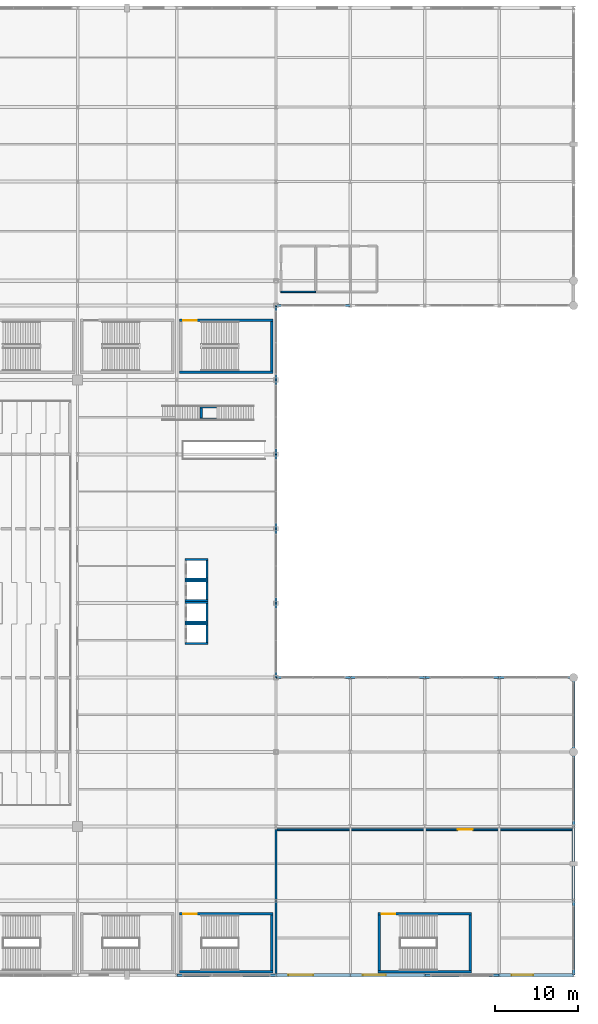
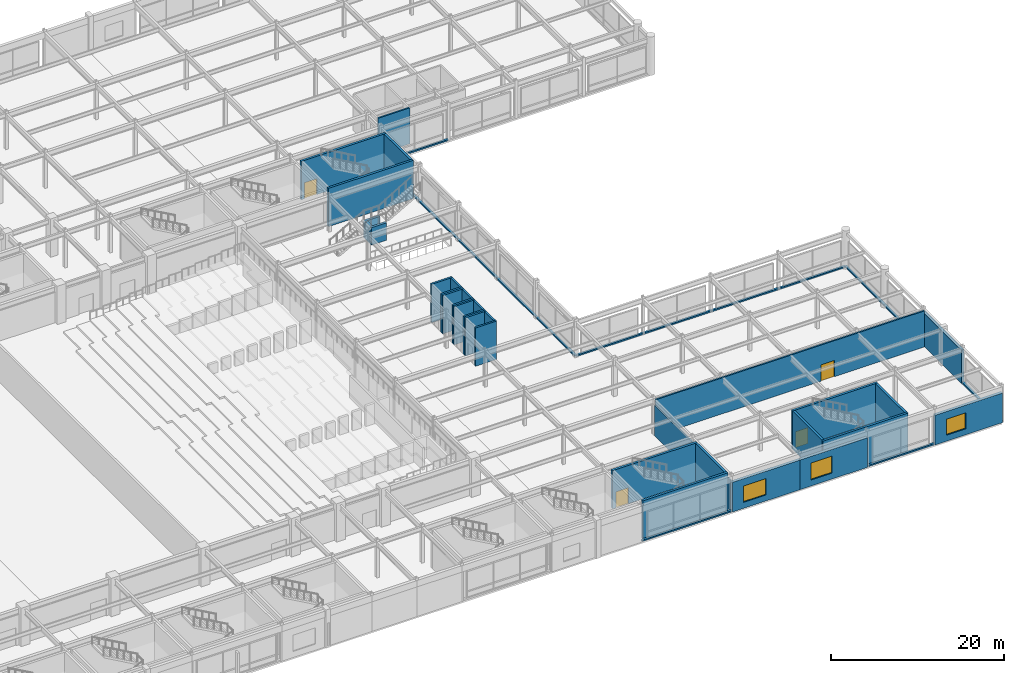
# One storey, part 87 of 100: 47 walls, 4 doors, 3 windows, 7 openings.
"""IFC4 building model written with IfcOpenShell, lengths in metres."""

from ifc_helpers import new_model, si_unit, direction, frame, frame_2d, origin, place, context, subcontext, project, spatial, rectangle, extrude, material, layer, layer_set, type_object, element, fill, save


model = new_model("IFC4")

# Units and contexts
model_context = context("Model", 3, precision=1e-05, world=origin(), true_north=direction((0.0, 1.0)))
body_context = subcontext(model_context, "Body", "Model", "MODEL_VIEW")
ifc_project = project(units=[si_unit("LENGTHUNIT", "METRE"), si_unit("AREAUNIT", "SQUARE_METRE"), si_unit("VOLUMEUNIT", "CUBIC_METRE"), si_unit("PLANEANGLEUNIT", "RADIAN"), si_unit("MASSUNIT", "GRAM", prefix="KILO")], contexts=[model_context])

# Site, building, storey
site_placement = place(None, origin())
site = spatial("IfcSite", under=ifc_project, at=site_placement, CompositionType="ELEMENT")
building_placement = place(site_placement, origin())
building = spatial("IfcBuilding", under=site, at=building_placement, Name="Kaldorvane Square Convention Centre", CompositionType="ELEMENT")
storey_placement = place(building_placement, frame((0.0, 0.0, 18.0)))
storey = spatial("IfcBuildingStorey", under=building, at=storey_placement, Name="L03", CompositionType="ELEMENT", Elevation=18.0)

# Wall
ifc_material_1 = material(Name="Fire-Rated Gypsum Board on Acoustic Steel Studs", Category="steel")
ifc_layer_1 = layer(ifc_material_1, 0.1999969482421875)
ifc_layer_set_1 = layer_set([ifc_layer_1], Name="Fire-Rated Gypsum Board on Acoustic Steel Studs")
wall_type_1 = type_object("IfcWallType", Name="WL-CORR-200", PredefinedType="PARTITIONING", material=ifc_layer_set_1)
wall_1_placement = place(storey_placement, frame((138.60000610351562, 82.64999389648438, 0.0), z_axis=(0.0, 0.0, 1.0), x_axis=(1.0, 0.0, 0.0)))
element("IfcWall", 1, at=wall_1_placement, inside=storey, type_object=wall_type_1, Name="East Concourse Men's Restroom (L03) S Wall", PredefinedType="PARTITIONING", context=body_context, shape_type="SweptSolid", body=[
    extrude(rectangle(XDim=4.1999969482421875, YDim=0.1999969482421875, at=frame_2d((2.100006103515625, 0.0))), origin(), (0.0, 0.0, 1.0), 5.0800018310546875),
])

# Wall, opening, door
wall_2_placement = place(storey_placement, frame((173.80999755859375, 17.600006103515625, 0.0), z_axis=(0.0, 0.0, 1.0), x_axis=(-1.0, 0.0, 0.0)))
wall_2 = element("IfcWall", 2, at=wall_2_placement, inside=storey, type_object=wall_type_1, Name="Speaker Green Room and Press Suite N Wall", PredefinedType="PARTITIONING", context=body_context, shape_type="SweptSolid", body=[
    extrude(rectangle(XDim=35.80999755859375, YDim=0.1999969482421875, at=frame_2d((17.904998779296875, 0.0))), origin(), (0.0, 0.0, 1.0), 5.0800018310546875),
])
opening_1_placement = place(wall_2_placement, frame((12.0, 0.0, 0.0)))
opening_1 = element("IfcOpeningElement", 3, at=opening_1_placement, cuts=wall_2, Name="Opening ID-06", PredefinedType="OPENING", context=body_context, shape_type="SweptSolid", body=[
    extrude(rectangle(XDim=1.8000030517578125, YDim=2.3000030517578125, at=frame_2d((0.899993896484375, 1.149993896484375))), frame((0.0, 0.114990234375, 0.0), z_axis=(0.0, -1.0, 0.0), x_axis=(1.0, 0.0, 0.0)), (0.0, 0.0, 1.0), 0.2299957275390625),
])
ifc_material_2 = material(Name="Architectural Solid-Core White Oak")
door_type_1 = type_object("IfcDoorType", Name="DR-MEET-1800X2300", OperationType="DOUBLE_DOOR_SINGLE_SWING", PredefinedType="DOOR", material=ifc_material_2)
door_1_placement = place(opening_1_placement, origin())
door_1 = element("IfcDoor", 4, at=door_1_placement, inside=storey, type_object=door_type_1, Name="Speaker Green Room and Press Suite Door 1", OperationType="DOUBLE_DOOR_SINGLE_SWING", OverallHeight=2.3000030517578125, OverallWidth=1.8000030517578125, PredefinedType="DOOR", context=body_context, shape_type="SweptSolid", body=[
    extrude(rectangle(XDim=1.8000030517578125, YDim=2.3000030517578125, at=frame_2d((0.899993896484375, 1.149993896484375))), frame((0.0, 0.024993896484375, 0.0), z_axis=(0.0, -1.0, 0.0), x_axis=(1.0, 0.0, 0.0)), (0.0, 0.0, 1.0), 0.0500030517578125),
])
fill(opening_1, door_1)

# Wall
wall_3_placement = place(storey_placement, frame((138.0, 17.600006103515625, 0.0), z_axis=(0.0, 0.0, 1.0), x_axis=(0.0, -1.0, 0.0)))
element("IfcWall", 5, at=wall_3_placement, inside=storey, type_object=wall_type_1, Name="Speaker Green Room and Press Suite W Wall", PredefinedType="PARTITIONING", context=body_context, shape_type="SweptSolid", body=[
    extrude(rectangle(XDim=17.410003662109375, YDim=0.1999969482421875, at=frame_2d((8.705001831054688, 0.0))), origin(), (0.0, 0.0, 1.0), 4.3130035400390625),
])

# Wall, opening, window
ifc_material_3 = material(Name="Concrete f'c = 42 MPa (Normalweight)", Category="concrete")
ifc_layer_2 = layer(ifc_material_3, 0.3800048828125)
ifc_layer_set_2 = layer_set([ifc_layer_2], Name="Concrete f'c = 42 MPa (Normalweight)")
wall_type_2 = type_object("IfcWallType", Name="WL-EXT-380", PredefinedType="STANDARD", material=ifc_layer_set_2)
wall_4_placement = place(storey_placement, frame((138.0, 0.0, 0.0), z_axis=(0.0, 0.0, 1.0), x_axis=(1.0, 0.0, 0.0)))
wall_4 = element("IfcWall", 6, at=wall_4_placement, inside=storey, type_object=wall_type_2, Name="South Square Brutalist Facade Wall (L03)", PredefinedType="STANDARD", context=body_context, shape_type="SweptSolid", body=[
    extrude(rectangle(XDim=9.0, YDim=0.3800048828125, at=frame_2d((4.5, 0.0))), origin(), (0.0, 0.0, 1.0), 4.175994873046875),
])
opening_2_placement = place(wall_4_placement, frame((1.5, 0.0, 0.850006103515625)))
opening_2 = element("IfcOpeningElement", 7, at=opening_2_placement, cuts=wall_4, Name="Opening W-16", PredefinedType="OPENING", context=body_context, shape_type="SweptSolid", body=[
    extrude(rectangle(XDim=3.0, YDim=2.3000030517578125, at=frame_2d((1.5, 1.149993896484375))), frame((0.0, 0.2050018310546875, 0.0), z_axis=(0.0, -1.0, 0.0), x_axis=(1.0, 0.0, 0.0)), (0.0, 0.0, 1.0), 0.410003662109375),
])
ifc_material_4 = material(Name="Anodized Aluminum and Low-E Insulated Glazing", Category="aluminium")
window_type_1 = type_object("IfcWindowType", Name="WN-POD-3000X2300", PartitioningType="TRIPLE_PANEL_VERTICAL", PredefinedType="WINDOW", material=ifc_material_4)
window_1_placement = place(opening_2_placement, origin())
window_1 = element("IfcWindow", 8, at=window_1_placement, inside=storey, type_object=window_type_1, Name="South Facade Window (L03)", OverallHeight=2.3000030517578125, OverallWidth=3.0, PartitioningType="TRIPLE_PANEL_VERTICAL", PredefinedType="WINDOW", context=body_context, shape_type="SweptSolid", body=[
    extrude(rectangle(XDim=3.0, YDim=2.3000030517578125, at=frame_2d((1.5, 1.149993896484375))), frame((0.0, 0.029998779296875, 0.0), z_axis=(0.0, -1.0, 0.0), x_axis=(1.0, 0.0, 0.0)), (0.0, 0.0, 1.0), 0.05999755859375),
])
fill(opening_2, window_1)

wall_5_placement = place(storey_placement, frame((147.0, 0.0, 0.0), z_axis=(0.0, 0.0, 1.0), x_axis=(1.0, 0.0, 0.0)))
wall_5 = element("IfcWall", 9, at=wall_5_placement, inside=storey, type_object=wall_type_2, Name="South Square Brutalist Facade Wall (L03)", PredefinedType="STANDARD", context=body_context, shape_type="SweptSolid", body=[
    extrude(rectangle(XDim=9.0, YDim=0.3800048828125, at=frame_2d((4.5, 0.0))), origin(), (0.0, 0.0, 1.0), 4.175994873046875),
])
opening_3_placement = place(wall_5_placement, frame((1.5, 0.0, 0.850006103515625)))
opening_3 = element("IfcOpeningElement", 10, at=opening_3_placement, cuts=wall_5, Name="Opening W-17", PredefinedType="OPENING", context=body_context, shape_type="SweptSolid", body=[
    extrude(rectangle(XDim=2.8000030517578125, YDim=2.399993896484375, at=frame_2d((1.399993896484375, 1.1999969482421875))), frame((0.0, 0.2050018310546875, 0.0), z_axis=(0.0, -1.0, 0.0), x_axis=(1.0, 0.0, 0.0)), (0.0, 0.0, 1.0), 0.410003662109375),
])
window_type_2 = type_object("IfcWindowType", Name="WN-POD-2800X2400", PartitioningType="DOUBLE_PANEL_VERTICAL", PredefinedType="WINDOW", material=ifc_material_4)
window_2_placement = place(opening_3_placement, origin())
window_2 = element("IfcWindow", 11, at=window_2_placement, inside=storey, type_object=window_type_2, Name="South Facade Window (L03)", OverallHeight=2.399993896484375, OverallWidth=2.8000030517578125, PartitioningType="DOUBLE_PANEL_VERTICAL", PredefinedType="WINDOW", context=body_context, shape_type="SweptSolid", body=[
    extrude(rectangle(XDim=2.8000030517578125, YDim=2.399993896484375, at=frame_2d((1.399993896484375, 1.1999969482421875))), frame((0.0, 0.029998779296875, 0.0), z_axis=(0.0, -1.0, 0.0), x_axis=(1.0, 0.0, 0.0)), (0.0, 0.0, 1.0), 0.05999755859375),
])
fill(opening_3, window_2)

wall_6_placement = place(storey_placement, frame((165.0, 0.0, 0.0), z_axis=(0.0, 0.0, 1.0), x_axis=(1.0, 0.0, 0.0)))
wall_6 = element("IfcWall", 12, at=wall_6_placement, inside=storey, type_object=wall_type_2, Name="South Square Brutalist Facade Wall (L03)", PredefinedType="STANDARD", context=body_context, shape_type="SweptSolid", body=[
    extrude(rectangle(XDim=9.0, YDim=0.3800048828125, at=frame_2d((4.5, 0.0))), origin(), (0.0, 0.0, 1.0), 4.175994873046875),
])
opening_4_placement = place(wall_6_placement, frame((1.5, 0.0, 0.850006103515625)))
opening_4 = element("IfcOpeningElement", 13, at=opening_4_placement, cuts=wall_6, Name="Opening W-18", PredefinedType="OPENING", context=body_context, shape_type="SweptSolid", body=[
    extrude(rectangle(XDim=2.600006103515625, YDim=2.25, at=frame_2d((1.3000030517578125, 1.125))), frame((0.0, 0.2050018310546875, 0.0), z_axis=(0.0, -1.0, 0.0), x_axis=(1.0, 0.0, 0.0)), (0.0, 0.0, 1.0), 0.410003662109375),
])
window_type_3 = type_object("IfcWindowType", Name="WN-POD-2600X2250", PartitioningType="DOUBLE_PANEL_VERTICAL", PredefinedType="WINDOW", material=ifc_material_4)
window_3_placement = place(opening_4_placement, origin())
window_3 = element("IfcWindow", 14, at=window_3_placement, inside=storey, type_object=window_type_3, Name="South Facade Window (L03)", OverallHeight=2.25, OverallWidth=2.600006103515625, PartitioningType="DOUBLE_PANEL_VERTICAL", PredefinedType="WINDOW", context=body_context, shape_type="SweptSolid", body=[
    extrude(rectangle(XDim=2.600006103515625, YDim=2.25, at=frame_2d((1.3000030517578125, 1.125))), frame((0.0, 0.029998779296875, 0.0), z_axis=(0.0, -1.0, 0.0), x_axis=(1.0, 0.0, 0.0)), (0.0, 0.0, 1.0), 0.05999755859375),
])
fill(opening_4, window_3)

# Walls
wall_7_placement = place(storey_placement, frame((174.0, 9.0, 0.0), z_axis=(0.0, 0.0, 1.0), x_axis=(0.0, 1.0, 0.0)))
element("IfcWall", 15, at=wall_7_placement, inside=storey, type_object=wall_type_2, Name="East Square Brutalist Wing Wall (L03)", PredefinedType="STANDARD", context=body_context, shape_type="SweptSolid", body=[
    extrude(rectangle(XDim=9.0, YDim=0.3800048828125, at=frame_2d((4.5, 0.0))), origin(), (0.0, 0.0, 1.0), 4.66900634765625),
])
ifc_material_5 = material(Name="Concrete f'c = 35 MPa (Normalweight)", Category="concrete")
ifc_layer_3 = layer(ifc_material_5, 0.279998779296875)
ifc_layer_set_3 = layer_set([ifc_layer_3], Name="Concrete f'c = 35 MPa (Normalweight)")
wall_type_3 = type_object("IfcWallType", Name="WL-PAR-280", PredefinedType="PARAPET", material=ifc_layer_set_3)
wall_8_placement = place(storey_placement, frame((126.0, 0.0, 0.0), z_axis=(0.0, 0.0, 1.0), x_axis=(1.0, 0.0, 0.0)))
element("IfcWall", 16, at=wall_8_placement, inside=storey, type_object=wall_type_3, Name="Curtain-Wall Sill Kerb (L03)", PredefinedType="PARAPET", context=body_context, shape_type="SweptSolid", body=[
    extrude(rectangle(XDim=12.0, YDim=0.279998779296875, at=frame_2d((6.0, 0.0))), origin(), (0.0, 0.0, 1.0), 0.1999969482421875),
])
for number, where, z_axis, x_axis, name in (
    (17, (156.0, 0.0, 0.0), (0.0, 0.0, 1.0), (1.0, 0.0, 0.0), "Curtain-Wall Sill Kerb (L03)"),
    (18, (174.0, 0.0, 0.0), (0.0, 0.0, 1.0), (0.0, 1.0, 0.0), "East Curtain-Wall Sill Kerb (L03)"),
    (19, (174.0, 18.0, 0.0), (0.0, 0.0, 1.0), (0.0, 1.0, 0.0), "East Curtain-Wall Sill Kerb (L03)"),
    (20, (174.0, 27.0, 0.0), (0.0, 0.0, 1.0), (0.0, 1.0, 0.0), "East Curtain-Wall Sill Kerb (L03)"),
    (21, (147.0, 36.0, 0.0), (0.0, 0.0, 1.0), (-1.0, 0.0, 0.0), "Forecourt Glazing Sill (L03)"),
    (22, (156.0, 36.0, 0.0), (0.0, 0.0, 1.0), (-1.0, 0.0, 0.0), "Forecourt Glazing Sill (L03)"),
    (23, (165.0, 36.0, 0.0), (0.0, 0.0, 1.0), (-1.0, 0.0, 0.0), "Forecourt Glazing Sill (L03)"),
    (24, (174.0, 36.0, 0.0), (0.0, 0.0, 1.0), (-1.0, 0.0, 0.0), "Forecourt Glazing Sill (L03)"),
    (25, (138.0, 36.0, 0.0), (0.0, 0.0, 1.0), (0.0, 1.0, 0.0), "Forecourt Glazing Sill (L03)"),
    (26, (138.0, 45.0, 0.0), (0.0, 0.0, 1.0), (0.0, 1.0, 0.0), "Forecourt Glazing Sill (L03)"),
    (27, (138.0, 54.0, 0.0), (0.0, 0.0, 1.0), (0.0, 1.0, 0.0), "Forecourt Glazing Sill (L03)"),
    (28, (138.0, 63.0, 0.0), (0.0, 0.0, 1.0), (0.0, 1.0, 0.0), "Forecourt Glazing Sill (L03)"),
    (29, (138.0, 72.0, 0.0), (0.0, 0.0, 1.0), (0.0, 1.0, 0.0), "Forecourt Glazing Sill (L03)"),
    (30, (138.0, 81.0, 0.0), (0.0, 0.0, 1.0), (1.0, 0.0, 0.0), "Forecourt Glazing Sill (L03)"),
):
    element("IfcWall", number, at=place(storey_placement, frame(where, z_axis=z_axis, x_axis=x_axis)), inside=storey, type_object=wall_type_3, Name=name, PredefinedType="PARAPET", context=body_context, shape_type="SweptSolid", body=[
        extrude(rectangle(XDim=9.0, YDim=0.279998779296875, at=frame_2d((4.5, 0.0))), origin(), (0.0, 0.0, 1.0), 0.1999969482421875),
    ])
ifc_material_6 = material(Name="Concrete f'c = 55 MPa (Normalweight)", Category="concrete")
ifc_layer_4 = layer(ifc_material_6, 0.3000030517578125)
ifc_layer_set_4 = layer_set([ifc_layer_4], Name="Concrete f'c = 55 MPa (Normalweight)")
wall_type_4 = type_object("IfcWallType", Name="WL-SHAFT-300", PredefinedType="SHEAR", material=ifc_layer_set_4)
wall_9_placement = place(storey_placement, frame((137.66000366210938, 0.399993896484375, 0.0), z_axis=(0.0, 0.0, 1.0), x_axis=(-1.0, 0.0, 0.0)))
element("IfcWall", 31, at=wall_9_placement, inside=storey, type_object=wall_type_4, Name="Core Enclosure Wall stair:ST-C10-S (L03)", PredefinedType="SHEAR", context=body_context, shape_type="SweptSolid", body=[
    extrude(rectangle(XDim=11.32000732421875, YDim=0.3000030517578125, at=frame_2d((5.660003662109375, 0.0))), origin(), (0.0, 0.0, 1.0), 5.399993896484375),
])

# Wall, opening, door
wall_10_placement = place(storey_placement, frame((137.66000366210938, 7.410003662109375, 0.0), z_axis=(0.0, 0.0, 1.0), x_axis=(-1.0, 0.0, 0.0)))
wall_10 = element("IfcWall", 32, at=wall_10_placement, inside=storey, type_object=wall_type_4, Name="Core Enclosure Wall stair:ST-C10-N (L03)", PredefinedType="SHEAR", context=body_context, shape_type="SweptSolid", body=[
    extrude(rectangle(XDim=11.32000732421875, YDim=0.3000030517578125, at=frame_2d((5.660003662109375, 0.0))), origin(), (0.0, 0.0, 1.0), 5.399993896484375),
])
opening_5_placement = place(wall_10_placement, frame((9.220001220703125, 0.0, 0.0)))
opening_5 = element("IfcOpeningElement", 33, at=opening_5_placement, cuts=wall_10, Name="Opening FD90-S2", PredefinedType="OPENING", context=body_context, shape_type="SweptSolid", body=[
    extrude(rectangle(XDim=1.649993896484375, YDim=2.25, at=frame_2d((0.8249969482421875, 1.125))), frame((0.0, 0.165008544921875, 0.0), z_axis=(0.0, -1.0, 0.0), x_axis=(1.0, 0.0, 0.0)), (0.0, 0.0, 1.0), 0.3300018310546875),
])
ifc_material_7 = material(Name="Fire-Rated Hollow Metal Steel", Category="steel")
door_type_2 = type_object("IfcDoorType", Name="DR-STAIR-1650", OperationType="DOUBLE_DOOR_SINGLE_SWING", PredefinedType="DOOR", material=ifc_material_7)
door_2_placement = place(opening_5_placement, origin())
door_2 = element("IfcDoor", 34, at=door_2_placement, inside=storey, type_object=door_type_2, Name="Convention Exit Stair C10 Fire Door (L03)", OperationType="DOUBLE_DOOR_SINGLE_SWING", OverallHeight=2.25, OverallWidth=1.649993896484375, PredefinedType="DOOR", context=body_context, shape_type="SweptSolid", body=[
    extrude(rectangle(XDim=1.649993896484375, YDim=2.25, at=frame_2d((0.8249969482421875, 1.125))), frame((0.0, 0.024993896484375, 0.0), z_axis=(0.0, -1.0, 0.0), x_axis=(1.0, 0.0, 0.0)), (0.0, 0.0, 1.0), 0.0500030517578125),
])
fill(opening_5, door_2)

# Walls
wall_11_placement = place(storey_placement, frame((137.50999450683594, 0.5500030517578125, 0.0), z_axis=(0.0, 0.0, 1.0), x_axis=(0.0, 1.0, 0.0)))
element("IfcWall", 35, at=wall_11_placement, inside=storey, type_object=wall_type_4, Name="Core Enclosure Wall stair:ST-C10-E (L03)", PredefinedType="SHEAR", context=body_context, shape_type="SweptSolid", body=[
    extrude(rectangle(XDim=6.709991455078125, YDim=0.3000030517578125, at=frame_2d((3.3549957275390625, 0.0))), origin(), (0.0, 0.0, 1.0), 5.399993896484375),
])
wall_12_placement = place(storey_placement, frame((161.66000366210938, 0.399993896484375, 0.0), z_axis=(0.0, 0.0, 1.0), x_axis=(-1.0, 0.0, 0.0)))
element("IfcWall", 36, at=wall_12_placement, inside=storey, type_object=wall_type_4, Name="Core Enclosure Wall stair:ST-C11-S (L03)", PredefinedType="SHEAR", context=body_context, shape_type="SweptSolid", body=[
    extrude(rectangle(XDim=11.32000732421875, YDim=0.3000030517578125, at=frame_2d((5.660003662109375, 0.0))), origin(), (0.0, 0.0, 1.0), 5.399993896484375),
])

# Wall, opening, door
wall_13_placement = place(storey_placement, frame((161.66000366210938, 7.410003662109375, 0.0), z_axis=(0.0, 0.0, 1.0), x_axis=(-1.0, 0.0, 0.0)))
wall_13 = element("IfcWall", 37, at=wall_13_placement, inside=storey, type_object=wall_type_4, Name="Core Enclosure Wall stair:ST-C11-N (L03)", PredefinedType="SHEAR", context=body_context, shape_type="SweptSolid", body=[
    extrude(rectangle(XDim=11.32000732421875, YDim=0.3000030517578125, at=frame_2d((5.660003662109375, 0.0))), origin(), (0.0, 0.0, 1.0), 5.399993896484375),
])
opening_6_placement = place(wall_13_placement, frame((9.220001220703125, 0.0, 0.0)))
opening_6 = element("IfcOpeningElement", 38, at=opening_6_placement, cuts=wall_13, Name="Opening FD90-S2", PredefinedType="OPENING", context=body_context, shape_type="SweptSolid", body=[
    extrude(rectangle(XDim=1.649993896484375, YDim=2.25, at=frame_2d((0.8249969482421875, 1.125))), frame((0.0, 0.165008544921875, 0.0), z_axis=(0.0, -1.0, 0.0), x_axis=(1.0, 0.0, 0.0)), (0.0, 0.0, 1.0), 0.3300018310546875),
])
door_3_placement = place(opening_6_placement, origin())
door_3 = element("IfcDoor", 39, at=door_3_placement, inside=storey, type_object=door_type_2, Name="Convention Exit Stair C11 Fire Door (L03)", OperationType="DOUBLE_DOOR_SINGLE_SWING", OverallHeight=2.25, OverallWidth=1.649993896484375, PredefinedType="DOOR", context=body_context, shape_type="SweptSolid", body=[
    extrude(rectangle(XDim=1.649993896484375, YDim=2.25, at=frame_2d((0.8249969482421875, 1.125))), frame((0.0, 0.024993896484375, 0.0), z_axis=(0.0, -1.0, 0.0), x_axis=(1.0, 0.0, 0.0)), (0.0, 0.0, 1.0), 0.0500030517578125),
])
fill(opening_6, door_3)

# Walls
for number, where, z_axis, x_axis, name in (
    (40, (150.49000549316406, 7.2599945068359375, 0.0), (0.0, 0.0, 1.0), (0.0, -1.0, 0.0), "Core Enclosure Wall stair:ST-C11-W (L03)"),
    (41, (161.50999450683594, 0.5500030517578125, 0.0), (0.0, 0.0, 1.0), (0.0, 1.0, 0.0), "Core Enclosure Wall stair:ST-C11-E (L03)"),
):
    element("IfcWall", number, at=place(storey_placement, frame(where, z_axis=z_axis, x_axis=x_axis)), inside=storey, type_object=wall_type_4, Name=name, PredefinedType="SHEAR", context=body_context, shape_type="SweptSolid", body=[
        extrude(rectangle(XDim=6.709991455078125, YDim=0.3000030517578125, at=frame_2d((3.3549957275390625, 0.0))), origin(), (0.0, 0.0, 1.0), 5.399993896484375),
    ])
wall_14_placement = place(storey_placement, frame((126.33999633789062, 72.94999694824219, 0.0), z_axis=(0.0, 0.0, 1.0), x_axis=(1.0, 0.0, 0.0)))
element("IfcWall", 42, at=wall_14_placement, inside=storey, type_object=wall_type_4, Name="Core Enclosure Wall stair:ST-C18-S (L03)", PredefinedType="SHEAR", context=body_context, shape_type="SweptSolid", body=[
    extrude(rectangle(XDim=11.32000732421875, YDim=0.3000030517578125, at=frame_2d((5.660003662109375, 0.0))), origin(), (0.0, 0.0, 1.0), 5.399993896484375),
])

# Wall, opening, door
wall_15_placement = place(storey_placement, frame((137.66000366210938, 79.21000671386719, 0.0), z_axis=(0.0, 0.0, 1.0), x_axis=(-1.0, 0.0, 0.0)))
wall_15 = element("IfcWall", 43, at=wall_15_placement, inside=storey, type_object=wall_type_4, Name="Core Enclosure Wall stair:ST-C18-N (L03)", PredefinedType="SHEAR", context=body_context, shape_type="SweptSolid", body=[
    extrude(rectangle(XDim=11.32000732421875, YDim=0.3000030517578125, at=frame_2d((5.660003662109375, 0.0))), origin(), (0.0, 0.0, 1.0), 5.399993896484375),
])
opening_7_placement = place(wall_15_placement, frame((9.220001220703125, 0.0, 0.0)))
opening_7 = element("IfcOpeningElement", 44, at=opening_7_placement, cuts=wall_15, Name="Opening FD90-S2", PredefinedType="OPENING", context=body_context, shape_type="SweptSolid", body=[
    extrude(rectangle(XDim=1.649993896484375, YDim=2.25, at=frame_2d((0.8249969482421875, 1.125))), frame((0.0, 0.165008544921875, 0.0), z_axis=(0.0, -1.0, 0.0), x_axis=(1.0, 0.0, 0.0)), (0.0, 0.0, 1.0), 0.3300018310546875),
])
door_4_placement = place(opening_7_placement, origin())
door_4 = element("IfcDoor", 45, at=door_4_placement, inside=storey, type_object=door_type_2, Name="Convention Exit Stair C18 Fire Door (L03)", OperationType="DOUBLE_DOOR_SINGLE_SWING", OverallHeight=2.25, OverallWidth=1.649993896484375, PredefinedType="DOOR", context=body_context, shape_type="SweptSolid", body=[
    extrude(rectangle(XDim=1.649993896484375, YDim=2.25, at=frame_2d((0.8249969482421875, 1.125))), frame((0.0, 0.024993896484375, 0.0), z_axis=(0.0, -1.0, 0.0), x_axis=(1.0, 0.0, 0.0)), (0.0, 0.0, 1.0), 0.0500030517578125),
])
fill(opening_7, door_4)

# Walls
wall_16_placement = place(storey_placement, frame((137.50999450683594, 73.10000610351562, 0.0), z_axis=(0.0, 0.0, 1.0), x_axis=(0.0, 1.0, 0.0)))
element("IfcWall", 46, at=wall_16_placement, inside=storey, type_object=wall_type_4, Name="Core Enclosure Wall stair:ST-C18-E (L03)", PredefinedType="SHEAR", context=body_context, shape_type="SweptSolid", body=[
    extrude(rectangle(XDim=5.959991455078125, YDim=0.3000030517578125, at=frame_2d((2.9799957275390625, 0.0))), origin(), (0.0, 0.0, 1.0), 5.399993896484375),
])
for number, where, z_axis, x_axis, name in (
    (47, (128.77999877929688, 67.25, 0.0), (0.0, 0.0, 1.0), (1.0, 0.0, 0.0), "East Foyer Grand Stair F4 Support Pier S (L03)"),
    (48, (128.77999877929688, 68.75, 0.0), (0.0, 0.0, 1.0), (1.0, 0.0, 0.0), "East Foyer Grand Stair F4 Support Pier N (L03)"),
):
    element("IfcWall", number, at=place(storey_placement, frame(where, z_axis=z_axis, x_axis=x_axis)), inside=storey, type_object=wall_type_4, Name=name, PredefinedType="SHEAR", context=body_context, shape_type="SweptSolid", body=[
        extrude(rectangle(XDim=2.0, YDim=0.3000030517578125, at=frame_2d((1.0, 0.0))), origin(), (0.0, 0.0, 1.0), 2.4600067138671875),
    ])
wall_17_placement = place(storey_placement, frame((128.92999267578125, 67.39999389648438, 0.0), z_axis=(0.0, 0.0, 1.0), x_axis=(0.0, 1.0, 0.0)))
element("IfcWall", 49, at=wall_17_placement, inside=storey, type_object=wall_type_4, Name="East Foyer Grand Stair F4 Support Pier W (L03)", PredefinedType="SHEAR", context=body_context, shape_type="SweptSolid", body=[
    extrude(rectangle(XDim=1.20001220703125, YDim=0.3000030517578125, at=frame_2d((0.600006103515625, 0.0))), origin(), (0.0, 0.0, 1.0), 2.4600067138671875),
])
for number, where, z_axis, x_axis, name in (
    (50, (127.0, 40.125, 0.0), (0.0, 0.0, 1.0), (1.0, 0.0, 0.0), "Core Enclosure Wall lift:EL-C1-S (L03)"),
    (51, (129.8000030517578, 42.475006103515625, 0.0), (0.0, 0.0, 1.0), (-1.0, 0.0, 0.0), "Core Enclosure Wall lift:EL-C1-N (L03)"),
):
    element("IfcWall", number, at=place(storey_placement, frame(where, z_axis=z_axis, x_axis=x_axis)), inside=storey, type_object=wall_type_4, Name=name, PredefinedType="SHEAR", context=body_context, shape_type="SweptSolid", body=[
        extrude(rectangle(XDim=2.8000030517578125, YDim=0.25, at=frame_2d((1.399993896484375, 0.0))), origin(), (0.0, 0.0, 1.0), 5.399993896484375),
    ])
wall_18_placement = place(storey_placement, frame((129.6750030517578, 40.25, 0.0), z_axis=(0.0, 0.0, 1.0), x_axis=(0.0, 1.0, 0.0)))
element("IfcWall", 52, at=wall_18_placement, inside=storey, type_object=wall_type_4, Name="Core Enclosure Wall lift:EL-C1-E (L03)", PredefinedType="SHEAR", context=body_context, shape_type="SweptSolid", body=[
    extrude(rectangle(XDim=2.100006103515625, YDim=0.25, at=frame_2d((1.0500030517578125, 0.0))), origin(), (0.0, 0.0, 1.0), 5.399993896484375),
])
for number, where, z_axis, x_axis, name in (
    (53, (127.0, 42.725006103515625, 0.0), (0.0, 0.0, 1.0), (1.0, 0.0, 0.0), "Core Enclosure Wall lift:EL-C2-S (L03)"),
    (54, (129.8000030517578, 45.07499694824219, 0.0), (0.0, 0.0, 1.0), (-1.0, 0.0, 0.0), "Core Enclosure Wall lift:EL-C2-N (L03)"),
):
    element("IfcWall", number, at=place(storey_placement, frame(where, z_axis=z_axis, x_axis=x_axis)), inside=storey, type_object=wall_type_4, Name=name, PredefinedType="SHEAR", context=body_context, shape_type="SweptSolid", body=[
        extrude(rectangle(XDim=2.8000030517578125, YDim=0.25, at=frame_2d((1.399993896484375, 0.0))), origin(), (0.0, 0.0, 1.0), 5.399993896484375),
    ])
wall_19_placement = place(storey_placement, frame((129.6750030517578, 42.850006103515625, 0.0), z_axis=(0.0, 0.0, 1.0), x_axis=(0.0, 1.0, 0.0)))
element("IfcWall", 55, at=wall_19_placement, inside=storey, type_object=wall_type_4, Name="Core Enclosure Wall lift:EL-C2-E (L03)", PredefinedType="SHEAR", context=body_context, shape_type="SweptSolid", body=[
    extrude(rectangle(XDim=2.0999908447265625, YDim=0.25, at=frame_2d((1.04998779296875, 0.0))), origin(), (0.0, 0.0, 1.0), 5.399993896484375),
])
for number, where, z_axis, x_axis, name in (
    (56, (127.0, 45.32499694824219, 0.0), (0.0, 0.0, 1.0), (1.0, 0.0, 0.0), "Core Enclosure Wall lift:EL-C3-S (L03)"),
    (57, (129.8000030517578, 47.67500305175781, 0.0), (0.0, 0.0, 1.0), (-1.0, 0.0, 0.0), "Core Enclosure Wall lift:EL-C3-N (L03)"),
):
    element("IfcWall", number, at=place(storey_placement, frame(where, z_axis=z_axis, x_axis=x_axis)), inside=storey, type_object=wall_type_4, Name=name, PredefinedType="SHEAR", context=body_context, shape_type="SweptSolid", body=[
        extrude(rectangle(XDim=2.8000030517578125, YDim=0.25, at=frame_2d((1.399993896484375, 0.0))), origin(), (0.0, 0.0, 1.0), 5.399993896484375),
    ])
wall_20_placement = place(storey_placement, frame((129.6750030517578, 45.44999694824219, 0.0), z_axis=(0.0, 0.0, 1.0), x_axis=(0.0, 1.0, 0.0)))
element("IfcWall", 58, at=wall_20_placement, inside=storey, type_object=wall_type_4, Name="Core Enclosure Wall lift:EL-C3-E (L03)", PredefinedType="SHEAR", context=body_context, shape_type="SweptSolid", body=[
    extrude(rectangle(XDim=2.100006103515625, YDim=0.25, at=frame_2d((1.0500030517578125, 0.0))), origin(), (0.0, 0.0, 1.0), 5.399993896484375),
])
for number, where, z_axis, x_axis, name in (
    (59, (127.0, 47.92500305175781, 0.0), (0.0, 0.0, 1.0), (1.0, 0.0, 0.0), "Core Enclosure Wall lift:EL-C4-S (L03)"),
    (60, (129.8000030517578, 50.274993896484375, 0.0), (0.0, 0.0, 1.0), (-1.0, 0.0, 0.0), "Core Enclosure Wall lift:EL-C4-N (L03)"),
):
    element("IfcWall", number, at=place(storey_placement, frame(where, z_axis=z_axis, x_axis=x_axis)), inside=storey, type_object=wall_type_4, Name=name, PredefinedType="SHEAR", context=body_context, shape_type="SweptSolid", body=[
        extrude(rectangle(XDim=2.8000030517578125, YDim=0.25, at=frame_2d((1.399993896484375, 0.0))), origin(), (0.0, 0.0, 1.0), 5.399993896484375),
    ])
wall_21_placement = place(storey_placement, frame((129.6750030517578, 48.05000305175781, 0.0), z_axis=(0.0, 0.0, 1.0), x_axis=(0.0, 1.0, 0.0)))
element("IfcWall", 61, at=wall_21_placement, inside=storey, type_object=wall_type_4, Name="Core Enclosure Wall lift:EL-C4-E (L03)", PredefinedType="SHEAR", context=body_context, shape_type="SweptSolid", body=[
    extrude(rectangle(XDim=2.0999908447265625, YDim=0.25, at=frame_2d((1.04998779296875, 0.0))), origin(), (0.0, 0.0, 1.0), 5.399993896484375),
])

save(model, "model.ifc")
